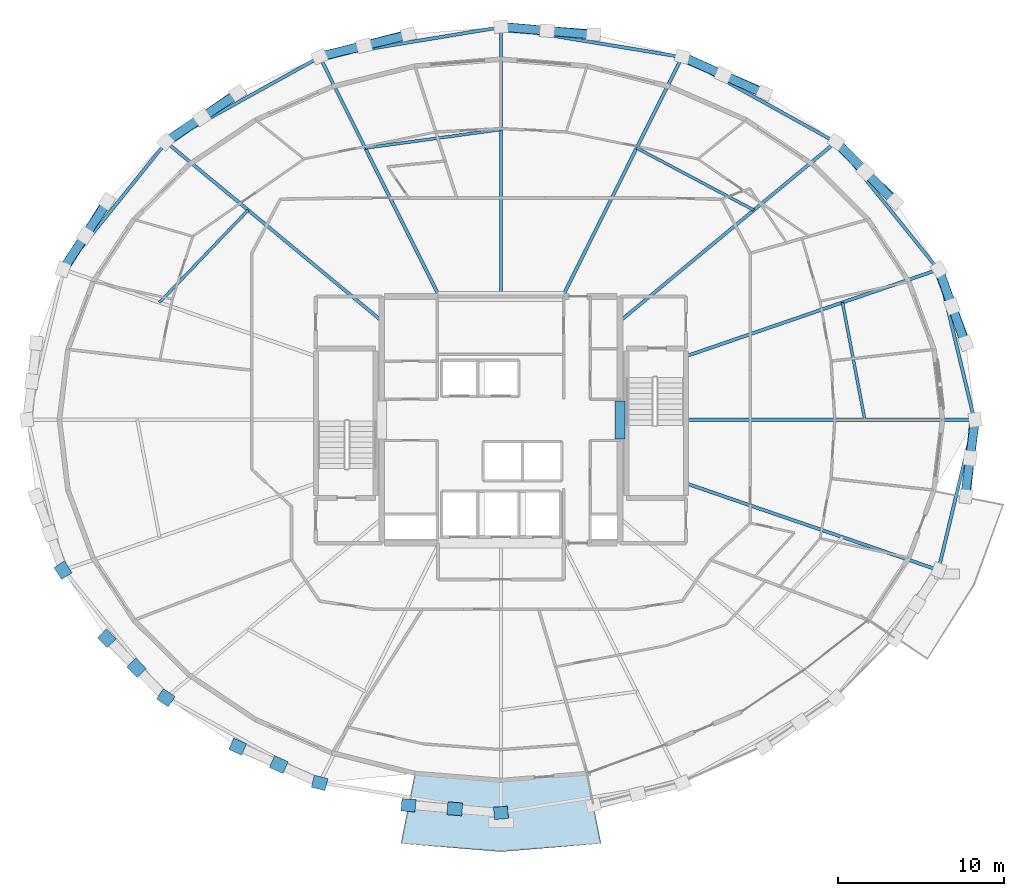
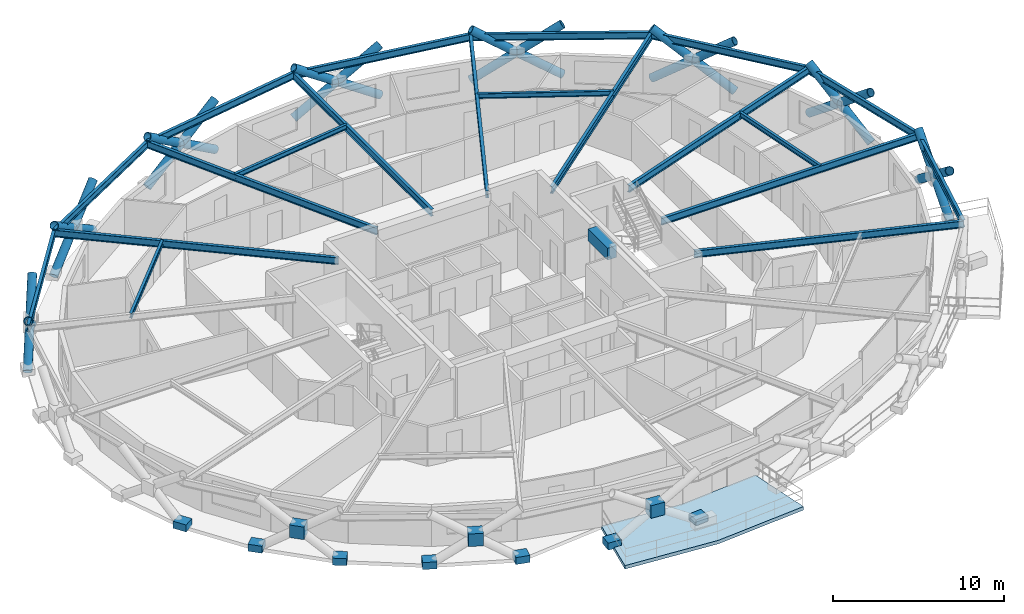
# One storey, part 5 of 12: 24 members, 21 beams, 10 plates, 1 slab.
"""IFC4 building model written with IfcOpenShell, lengths in metres."""

from ifc_helpers import new_model, si_unit, direction, frame, origin, origin_2d, place, context, subcontext, project, spatial, polyline, rectangle, hollow_circle, i_section, outline, extrude, material, layer, layer_set, material_profile, profile_set, type_object, element, save


model = new_model("IFC4")

# Units and contexts
model_context = context("Model", 3, precision=1e-05, world=origin(), true_north=direction((0.0, 1.0)))
body_context = subcontext(model_context, "Body", "Model", "MODEL_VIEW")
ifc_project = project(units=[si_unit("LENGTHUNIT", "METRE"), si_unit("AREAUNIT", "SQUARE_METRE"), si_unit("VOLUMEUNIT", "CUBIC_METRE"), si_unit("PLANEANGLEUNIT", "RADIAN"), si_unit("MASSUNIT", "GRAM", prefix="KILO")], contexts=[model_context])

# Site, building, storey
site_placement = place(None, origin())
site = spatial("IfcSite", under=ifc_project, at=site_placement, CompositionType="ELEMENT")
building_placement = place(site_placement, origin())
building = spatial("IfcBuilding", under=site, at=building_placement, Name="Veldorina Hangang Commons", CompositionType="ELEMENT")
storey_placement = place(building_placement, frame((0.0, 0.0, 124.39990234375)))
storey = spatial("IfcBuildingStorey", under=building, at=storey_placement, Name="L31", CompositionType="ELEMENT", Elevation=124.39990234375)

# Beams
ifc_material_1 = material(Name="Concrete C60/75", Category="concrete")
ifc_material_profile_1 = material_profile(ifc_material_1, rectangle(XDim=0.60009765625, YDim=0.85009765625, at=origin_2d()), Name="RC-CB-600x850")
ifc_profile_set_1 = profile_set([ifc_material_profile_1], Name="Concrete C60/75")
beam_type_1 = type_object("IfcBeamType", Name="BM-CB850", PredefinedType="LINTEL", material=ifc_profile_set_1)
beam_1_placement = place(storey_placement, frame((39.199951171875, 22.85009765625, 2.925048828125), z_axis=(0.0, 1.0, 0.0), x_axis=(-1.0, 0.0, 0.0)))
element("IfcBeam", 1, at=beam_1_placement, inside=storey, type_object=beam_type_1, Name="L31 E core coupling lintel beam", PredefinedType="LINTEL", context=body_context, shape_type="SweptSolid", body=[
    extrude(rectangle(XDim=0.60009765625, YDim=0.85009765625, at=origin_2d()), origin(), (0.0, 0.0, 1.0), 2.2998046875),
])
ifc_material_2 = material(Name="Steel SM420-TMC", Category="steel")
ifc_material_profile_2 = material_profile(ifc_material_2, i_section(OverallWidth=0.199951171875, OverallDepth=0.5, WebThickness=0.010009765625, FlangeThickness=0.01611328125, FilletRadius=0.01611328125, at=origin_2d()), Name="H-500x200x10x16")
ifc_profile_set_2 = profile_set([ifc_material_profile_2], Name="Steel SM420-TMC")
beam_type_2 = type_object("IfcBeamType", Name="BM-FG500", PredefinedType="BEAM", material=ifc_profile_set_2)
beam_2_placement = place(storey_placement, frame((43.179931640625, 24.0, 3.10009765625), z_axis=(1.0, 0.0, 0.0), x_axis=(0.0, 1.0, 0.0)))
element("IfcBeam", 2, at=beam_2_placement, inside=storey, type_object=beam_type_2, Name="L31 radial floor girder 01", PredefinedType="BEAM", context=body_context, shape_type="SweptSolid", body=[
    extrude(i_section(OverallWidth=0.199951171875, OverallDepth=0.5, WebThickness=0.010009765625, FlangeThickness=0.01611328125, FilletRadius=0.01611328125, at=origin_2d()), origin(), (0.0, 0.0, 1.0), 17.411376953125),
])
beam_3_placement = place(storey_placement, frame((43.179931640625, 27.8408203125, 3.10009765625), z_axis=(0.945741040381, 0.324921351314, 0.0), x_axis=(-0.324921351314, 0.945741040381, 0.0)))
element("IfcBeam", 3, at=beam_3_placement, inside=storey, type_object=beam_type_2, Name="L31 radial floor girder 02", PredefinedType="BEAM", context=body_context, shape_type="SweptSolid", body=[
    extrude(i_section(OverallWidth=0.199951171875, OverallDepth=0.5, WebThickness=0.010009765625, FlangeThickness=0.01611328125, FilletRadius=0.01611328125, at=origin_2d()), origin(), (0.0, 0.0, 1.0), 16.10888671875),
])
beam_4_placement = place(storey_placement, frame((39.199951171875, 29.9716796875, 3.10009765625), z_axis=(0.76970069146, 0.638404922886, 0.0), x_axis=(-0.638404922886, 0.76970069146, 0.0)))
element("IfcBeam", 4, at=beam_4_placement, inside=storey, type_object=beam_type_2, Name="L31 radial floor girder 03", PredefinedType="BEAM", context=body_context, shape_type="SweptSolid", body=[
    extrude(i_section(OverallWidth=0.199951171875, OverallDepth=0.5, WebThickness=0.010009765625, FlangeThickness=0.01611328125, FilletRadius=0.01611328125, at=origin_2d()), origin(), (0.0, 0.0, 1.0), 16.911865234375),
])
beam_5_placement = place(storey_placement, frame((35.720703125, 31.449951171875, 3.10009765625), z_axis=(0.446784524562, 0.894641597855, 0.0), x_axis=(-0.894641597855, 0.446784524562, 0.0)))
element("IfcBeam", 5, at=beam_5_placement, inside=storey, type_object=beam_type_2, Name="L31 radial floor girder 04", PredefinedType="BEAM", context=body_context, shape_type="SweptSolid", body=[
    extrude(i_section(OverallWidth=0.199951171875, OverallDepth=0.5, WebThickness=0.010009765625, FlangeThickness=0.01611328125, FilletRadius=0.01611328125, at=origin_2d()), origin(), (0.0, 0.0, 1.0), 16.161376953125),
])
beam_6_placement = place(storey_placement, frame((32.0, 31.449951171875, 3.10009765625), z_axis=(0.0, 1.0, 0.0), x_axis=(-1.0, 0.0, 0.0)))
element("IfcBeam", 6, at=beam_6_placement, inside=storey, type_object=beam_type_2, Name="L31 radial floor girder 05", PredefinedType="BEAM", context=body_context, shape_type="SweptSolid", body=[
    extrude(i_section(OverallWidth=0.199951171875, OverallDepth=0.5, WebThickness=0.010009765625, FlangeThickness=0.01611328125, FilletRadius=0.01611328125, at=origin_2d()), origin(), (0.0, 0.0, 1.0), 16.263916015625),
])
beam_7_placement = place(storey_placement, frame((28.279296875, 31.449951171875, 3.10009765625), z_axis=(-0.446784524562, 0.894641597855, 0.0), x_axis=(-0.894641597855, -0.446784524562, 0.0)))
element("IfcBeam", 7, at=beam_7_placement, inside=storey, type_object=beam_type_2, Name="L31 radial floor girder 06", PredefinedType="BEAM", context=body_context, shape_type="SweptSolid", body=[
    extrude(i_section(OverallWidth=0.199951171875, OverallDepth=0.5, WebThickness=0.010009765625, FlangeThickness=0.01611328125, FilletRadius=0.01611328125, at=origin_2d()), origin(), (0.0, 0.0, 1.0), 16.161376953125),
])
beam_8_placement = place(storey_placement, frame((24.800048828125, 29.9716796875, 3.10009765625), z_axis=(-0.76970069146, 0.638404922886, 0.0), x_axis=(-0.638404922886, -0.76970069146, 0.0)))
element("IfcBeam", 8, at=beam_8_placement, inside=storey, type_object=beam_type_2, Name="L31 radial floor girder 07", PredefinedType="BEAM", context=body_context, shape_type="SweptSolid", body=[
    extrude(i_section(OverallWidth=0.199951171875, OverallDepth=0.5, WebThickness=0.010009765625, FlangeThickness=0.01611328125, FilletRadius=0.01611328125, at=origin_2d()), origin(), (0.0, 0.0, 1.0), 16.911865234375),
])
beam_9_placement = place(storey_placement, frame((43.179931640625, 20.1591796875, 3.10009765625), z_axis=(0.945741040381, -0.324921351314, 0.0), x_axis=(0.324921351314, 0.945741040381, 0.0)))
element("IfcBeam", 9, at=beam_9_placement, inside=storey, type_object=beam_type_2, Name="L31 radial floor girder 16", PredefinedType="BEAM", context=body_context, shape_type="SweptSolid", body=[
    extrude(i_section(OverallWidth=0.199951171875, OverallDepth=0.5, WebThickness=0.010009765625, FlangeThickness=0.01611328125, FilletRadius=0.01611328125, at=origin_2d()), origin(), (0.0, 0.0, 1.0), 16.10888671875),
])
ifc_material_3 = material(Name="Steel SM355-TMC", Category="steel")
ifc_material_profile_3 = material_profile(ifc_material_3, i_section(OverallWidth=0.175048828125, OverallDepth=0.35009765625, WebThickness=0.007080078125, FlangeThickness=0.010986328125, FilletRadius=0.012939453125, at=origin_2d()), Name="H-350x175x7x11")
ifc_profile_set_3 = profile_set([ifc_material_profile_3], Name="Steel SM355-TMC")
beam_type_3 = type_object("IfcBeamType", Name="BM-JST350", PredefinedType="JOIST", material=ifc_profile_set_3)
beam_10_placement = place(storey_placement, frame((53.974853515625, 24.0, 3.175048828125), z_axis=(-0.187067004341, 0.982347156502, 0.0), x_axis=(-0.982347156502, -0.187067004341, 0.0)))
element("IfcBeam", 10, at=beam_10_placement, inside=storey, type_object=beam_type_3, Name="L31 secondary floor joist 01", PredefinedType="JOIST", context=body_context, shape_type="SweptSolid", body=[
    extrude(i_section(OverallWidth=0.175048828125, OverallDepth=0.35009765625, WebThickness=0.007080078125, FlangeThickness=0.010986328125, FilletRadius=0.012939453125, at=origin_2d()), origin(), (0.0, 0.0, 1.0), 7.21337890625),
])
beam_11_placement = place(storey_placement, frame((47.2705078125, 36.66552734375, 3.175048828125), z_axis=(-0.883555611094, 0.468326256048, 0.0), x_axis=(-0.468326256048, -0.883555611094, 0.0)))
element("IfcBeam", 11, at=beam_11_placement, inside=storey, type_object=beam_type_3, Name="L31 secondary floor joist 03", PredefinedType="JOIST", context=body_context, shape_type="SweptSolid", body=[
    extrude(i_section(OverallWidth=0.175048828125, OverallDepth=0.35009765625, WebThickness=0.007080078125, FlangeThickness=0.010986328125, FilletRadius=0.012939453125, at=origin_2d()), origin(), (0.0, 0.0, 1.0), 8.005126953125),
])
beam_12_placement = place(storey_placement, frame((32.0, 41.53369140625, 3.175048828125), z_axis=(-0.990809146924, -0.13526727014, 0.0), x_axis=(0.13526727014, -0.990809146924, 0.0)))
element("IfcBeam", 12, at=beam_12_placement, inside=storey, type_object=beam_type_3, Name="L31 secondary floor joist 05", PredefinedType="JOIST", context=body_context, shape_type="SweptSolid", body=[
    extrude(i_section(OverallWidth=0.175048828125, OverallDepth=0.35009765625, WebThickness=0.007080078125, FlangeThickness=0.010986328125, FilletRadius=0.012939453125, at=origin_2d()), origin(), (0.0, 0.0, 1.0), 8.2734375),
])
beam_13_placement = place(storey_placement, frame((16.7294921875, 36.66552734375, 3.175048828125), z_axis=(-0.692435879443, -0.721479419568, 0.0), x_axis=(0.721479419568, -0.692435879443, 0.0)))
element("IfcBeam", 13, at=beam_13_placement, inside=storey, type_object=beam_type_3, Name="L31 secondary floor joist 07", PredefinedType="JOIST", context=body_context, shape_type="SweptSolid", body=[
    extrude(i_section(OverallWidth=0.175048828125, OverallDepth=0.35009765625, WebThickness=0.007080078125, FlangeThickness=0.010986328125, FilletRadius=0.012939453125, at=origin_2d()), origin(), (0.0, 0.0, 1.0), 7.733642578125),
])
ifc_material_profile_4 = material_profile(ifc_material_2, i_section(OverallWidth=0.199951171875, OverallDepth=0.5, WebThickness=0.010009765625, FlangeThickness=0.01611328125, FilletRadius=0.01611328125, at=origin_2d()), Name="H-500x200x10x16")
ifc_profile_set_4 = profile_set([ifc_material_profile_4], Name="Steel SM420-TMC")
beam_type_4 = type_object("IfcBeamType", Name="BM-RB500", PredefinedType="BEAM", material=ifc_profile_set_4)
beam_14_placement = place(storey_placement, frame((60.59130859375, 24.0, 3.10009765625), z_axis=(-0.233223544236, 0.972423147819, 0.0), x_axis=(-0.972423147819, -0.233223544236, 0.0)))
element("IfcBeam", 14, at=beam_14_placement, inside=storey, type_object=beam_type_4, Name="L31 perimeter hoop ring beam 00", PredefinedType="BEAM", context=body_context, shape_type="SweptSolid", body=[
    extrude(i_section(OverallWidth=0.199951171875, OverallDepth=0.5, WebThickness=0.010009765625, FlangeThickness=0.01611328125, FilletRadius=0.01611328125, at=origin_2d()), origin(), (0.0, 0.0, 1.0), 9.332275390625),
])
beam_15_placement = place(storey_placement, frame((58.414794921875, 33.074951171875, 3.10009765625), z_axis=(-0.627349520382, 0.778737811639, 0.0), x_axis=(-0.778737811639, -0.627349520382, 0.0)))
element("IfcBeam", 15, at=beam_15_placement, inside=storey, type_object=beam_type_4, Name="L31 perimeter hoop ring beam 02", PredefinedType="BEAM", context=body_context, shape_type="SweptSolid", body=[
    extrude(i_section(OverallWidth=0.199951171875, OverallDepth=0.5, WebThickness=0.010009765625, FlangeThickness=0.01611328125, FilletRadius=0.01611328125, at=origin_2d()), origin(), (0.0, 0.0, 1.0), 9.879150390625),
])
beam_16_placement = place(storey_placement, frame((52.217041015625, 40.768310546875, 3.10009765625), z_axis=(-0.874667182289, 0.484723962917, 0.0), x_axis=(-0.484723962917, -0.874667182289, 0.0)))
element("IfcBeam", 16, at=beam_16_placement, inside=storey, type_object=beam_type_4, Name="L31 perimeter hoop ring beam 04", PredefinedType="BEAM", context=body_context, shape_type="SweptSolid", body=[
    extrude(i_section(OverallWidth=0.199951171875, OverallDepth=0.5, WebThickness=0.010009765625, FlangeThickness=0.01611328125, FilletRadius=0.01611328125, at=origin_2d()), origin(), (0.0, 0.0, 1.0), 10.604736328125),
])
for number, where, z_axis, x_axis, name in (
    (17, (42.94140625, 45.90869140625, 3.10009765625), (-0.986661554027, 0.162785066282, 0.0), (-0.162785066282, -0.986661554027, 0.0), "L31 perimeter hoop ring beam 06"),
    (18, (32.0, 47.7138671875, 3.10009765625), (-0.986661554027, -0.162785066282, 0.0), (0.162785066282, -0.986661554027, 0.0), "L31 perimeter hoop ring beam 08"),
):
    element("IfcBeam", number, at=place(storey_placement, frame(where, z_axis=z_axis, x_axis=x_axis)), inside=storey, type_object=beam_type_4, Name=name, PredefinedType="BEAM", context=body_context, shape_type="SweptSolid", body=[
        extrude(i_section(OverallWidth=0.199951171875, OverallDepth=0.5, WebThickness=0.010009765625, FlangeThickness=0.01611328125, FilletRadius=0.01611328125, at=origin_2d()), origin(), (0.0, 0.0, 1.0), 11.08935546875),
    ])
beam_17_placement = place(storey_placement, frame((21.05859375, 45.90869140625, 3.10009765625), z_axis=(-0.874667182289, -0.484723962917, 0.0), x_axis=(0.484723962917, -0.874667182289, 0.0)))
element("IfcBeam", 19, at=beam_17_placement, inside=storey, type_object=beam_type_4, Name="L31 perimeter hoop ring beam 10", PredefinedType="BEAM", context=body_context, shape_type="SweptSolid", body=[
    extrude(i_section(OverallWidth=0.199951171875, OverallDepth=0.5, WebThickness=0.010009765625, FlangeThickness=0.01611328125, FilletRadius=0.01611328125, at=origin_2d()), origin(), (0.0, 0.0, 1.0), 10.604736328125),
])
beam_18_placement = place(storey_placement, frame((11.782958984375, 40.768310546875, 3.10009765625), z_axis=(-0.627349520382, -0.778737811639, 0.0), x_axis=(0.778737811639, -0.627349520382, 0.0)))
element("IfcBeam", 20, at=beam_18_placement, inside=storey, type_object=beam_type_4, Name="L31 perimeter hoop ring beam 12", PredefinedType="BEAM", context=body_context, shape_type="SweptSolid", body=[
    extrude(i_section(OverallWidth=0.199951171875, OverallDepth=0.5, WebThickness=0.010009765625, FlangeThickness=0.01611328125, FilletRadius=0.01611328125, at=origin_2d()), origin(), (0.0, 0.0, 1.0), 9.879150390625),
])
beam_19_placement = place(storey_placement, frame((58.414794921875, 14.925048828125, 3.10009765625), z_axis=(0.233223544236, 0.972423147819, 0.0), x_axis=(-0.972423147819, 0.233223544236, 0.0)))
element("IfcBeam", 21, at=beam_19_placement, inside=storey, type_object=beam_type_4, Name="L31 perimeter hoop ring beam 30", PredefinedType="BEAM", context=body_context, shape_type="SweptSolid", body=[
    extrude(i_section(OverallWidth=0.199951171875, OverallDepth=0.5, WebThickness=0.010009765625, FlangeThickness=0.01611328125, FilletRadius=0.01611328125, at=origin_2d()), origin(), (0.0, 0.0, 1.0), 9.332275390625),
])

# Members
ifc_material_profile_5 = material_profile(ifc_material_2, hollow_circle(Radius=0.27490234375, WallThickness=0.028076171875, at=origin_2d()), Name="CHS-550x28")
ifc_profile_set_5 = profile_set([ifc_material_profile_5], Name="Steel SM420-TMC")
member_type = type_object("IfcMemberType", Name="DG-CHS550", PredefinedType="BRACE", material=ifc_profile_set_5)
member_1_placement = place(storey_placement, frame((60.076416015625, 28.631103515625, 0.0), z_axis=(-0.279845178766, 0.745871227894, 0.604452469033), x_axis=(-0.936269956094, -0.351281325031, 0.0)))
element("IfcMember", 22, at=member_1_placement, inside=storey, type_object=member_type, Name="L31 continuous perimeter diagrid brace 01", PredefinedType="BRACE", context=body_context, shape_type="SweptSolid", body=[
    extrude(hollow_circle(Radius=0.27490234375, WallThickness=0.028076171875, at=origin_2d()), origin(), (0.0, 0.0, 1.0), 5.9560546875),
])
member_2_placement = place(storey_placement, frame((58.447509765625, 33.08447265625, 0.0), z_axis=(0.267171536164, -0.749737815089, 0.605402823654), x_axis=(0.941977259221, 0.335676694322, 0.0)))
element("IfcMember", 23, at=member_2_placement, inside=storey, type_object=member_type, Name="L31 split perimeter diagrid lower brace 02", PredefinedType="BRACE", context=body_context, shape_type="SweptSolid", body=[
    extrude(hollow_circle(Radius=0.27490234375, WallThickness=0.028076171875, at=origin_2d()), origin(), (0.0, 0.0, 1.0), 2.975341796875),
])
member_3_placement = place(storey_placement, frame((59.242431640625, 30.853759765625, 1.80126953125), z_axis=(0.267087525285, -0.749833233859, 0.605321712181), x_axis=(0.94202413043, 0.335545135097, 0.0)))
element("IfcMember", 24, at=member_3_placement, inside=storey, type_object=member_type, Name="L31 split perimeter diagrid upper brace 02", PredefinedType="BRACE", context=body_context, shape_type="SweptSolid", body=[
    extrude(hollow_circle(Radius=0.27490234375, WallThickness=0.028076171875, at=origin_2d()), origin(), (0.0, 0.0, 1.0), 2.9716796875),
])
member_4_placement = place(storey_placement, frame((55.802001953125, 37.1884765625, 0.0), z_axis=(-0.577413719697, 0.575449861049, 0.579181192481), x_axis=(-0.705901227871, -0.708310282638, 0.0)))
element("IfcMember", 25, at=member_4_placement, inside=storey, type_object=member_type, Name="L31 continuous perimeter diagrid brace 03", PredefinedType="BRACE", context=body_context, shape_type="SweptSolid", body=[
    extrude(hollow_circle(Radius=0.27490234375, WallThickness=0.028076171875, at=origin_2d()), origin(), (0.0, 0.0, 1.0), 6.2158203125),
])
member_5_placement = place(storey_placement, frame((52.2421875, 40.78564453125, 0.0), z_axis=(0.568660604963, -0.582668574474, 0.580622466568), x_axis=(0.715657026654, 0.698451873933, 0.0)))
element("IfcMember", 26, at=member_5_placement, inside=storey, type_object=member_type, Name="L31 split perimeter diagrid lower brace 04", PredefinedType="BRACE", context=body_context, shape_type="SweptSolid", body=[
    extrude(hollow_circle(Radius=0.27490234375, WallThickness=0.028076171875, at=origin_2d()), origin(), (0.0, 0.0, 1.0), 3.102294921875),
])
member_6_placement = place(storey_placement, frame((54.00634765625, 38.97802734375, 1.80126953125), z_axis=(0.568622589074, -0.582727833454, 0.58060022676), x_axis=(0.715715869095, 0.698391576929, 0.0)))
element("IfcMember", 27, at=member_6_placement, inside=storey, type_object=member_type, Name="L31 split perimeter diagrid upper brace 04", PredefinedType="BRACE", context=body_context, shape_type="SweptSolid", body=[
    extrude(hollow_circle(Radius=0.27490234375, WallThickness=0.028076171875, at=origin_2d()), origin(), (0.0, 0.0, 1.0), 3.09814453125),
])
member_7_placement = place(storey_placement, frame((47.904052734375, 43.73779296875, 0.0), z_axis=(-0.763304780009, 0.333195148118, 0.553486048683), x_axis=(-0.400062158265, -0.916488008391, 0.0)))
element("IfcMember", 28, at=member_7_placement, inside=storey, type_object=member_type, Name="L31 continuous perimeter diagrid brace 05", PredefinedType="BRACE", context=body_context, shape_type="SweptSolid", body=[
    extrude(hollow_circle(Radius=0.27490234375, WallThickness=0.028076171875, at=origin_2d()), origin(), (0.0, 0.0, 1.0), 6.50439453125),
])
member_8_placement = place(storey_placement, frame((42.954833984375, 45.931640625, 0.0), z_axis=(0.758836281718, -0.341502630893, 0.55456600206), x_axis=(0.410390964243, 0.911909675608, 0.0)))
element("IfcMember", 29, at=member_8_placement, inside=storey, type_object=member_type, Name="L31 split perimeter diagrid lower brace 06", PredefinedType="BRACE", context=body_context, shape_type="SweptSolid", body=[
    extrude(hollow_circle(Radius=0.27490234375, WallThickness=0.028076171875, at=origin_2d()), origin(), (0.0, 0.0, 1.0), 3.24853515625),
])
member_9_placement = place(storey_placement, frame((45.419921875, 44.822265625, 1.801513671875), z_axis=(0.758835001427, -0.341633809907, 0.554486952541), x_axis=(0.410522618077, 0.91185041539, 0.0)))
element("IfcMember", 30, at=member_9_placement, inside=storey, type_object=member_type, Name="L31 split perimeter diagrid upper brace 06", PredefinedType="BRACE", context=body_context, shape_type="SweptSolid", body=[
    extrude(hollow_circle(Radius=0.27490234375, WallThickness=0.028076171875, at=origin_2d()), origin(), (0.0, 0.0, 1.0), 3.24365234375),
])
member_10_placement = place(storey_placement, frame((37.584716796875, 47.282470703125, 0.0), z_axis=(-0.838764384084, 0.064204434384, 0.540695939135), x_axis=(-0.076323172251, -0.997083132631, 0.0)))
element("IfcMember", 31, at=member_10_placement, inside=storey, type_object=member_type, Name="L31 continuous perimeter diagrid brace 07", PredefinedType="BRACE", context=body_context, shape_type="SweptSolid", body=[
    extrude(hollow_circle(Radius=0.27490234375, WallThickness=0.028076171875, at=origin_2d()), origin(), (0.0, 0.0, 1.0), 6.658203125),
])
member_11_placement = place(storey_placement, frame((32.0, 47.738525390625, 0.0), z_axis=(0.837889386417, -0.072726071513, 0.540973469453), x_axis=(0.086471631714, 0.99625431337, 0.0)))
element("IfcMember", 32, at=member_11_placement, inside=storey, type_object=member_type, Name="L31 split perimeter diagrid lower brace 08", PredefinedType="BRACE", context=body_context, shape_type="SweptSolid", body=[
    extrude(hollow_circle(Radius=0.27490234375, WallThickness=0.028076171875, at=origin_2d()), origin(), (0.0, 0.0, 1.0), 3.330078125),
])
member_12_placement = place(storey_placement, frame((34.790283203125, 47.496337890625, 1.801513671875), z_axis=(0.837965078273, -0.072754809232, 0.540852350765), x_axis=(0.086497789924, 0.996252042577, 0.0)))
element("IfcMember", 33, at=member_12_placement, inside=storey, type_object=member_type, Name="L31 split perimeter diagrid upper brace 08", PredefinedType="BRACE", context=body_context, shape_type="SweptSolid", body=[
    extrude(hollow_circle(Radius=0.27490234375, WallThickness=0.028076171875, at=origin_2d()), origin(), (0.0, 0.0, 1.0), 3.325439453125),
])
member_13_placement = place(storey_placement, frame((26.415283203125, 47.282470703125, 0.0), z_axis=(-0.811578937087, -0.208778422535, 0.545665831036), x_axis=(0.249138077434, -0.968467974882, 0.0)))
element("IfcMember", 34, at=member_13_placement, inside=storey, type_object=member_type, Name="L31 continuous perimeter diagrid brace 09", PredefinedType="BRACE", context=body_context, shape_type="SweptSolid", body=[
    extrude(hollow_circle(Radius=0.27490234375, WallThickness=0.028076171875, at=origin_2d()), origin(), (0.0, 0.0, 1.0), 6.59765625),
])
member_14_placement = place(storey_placement, frame((21.045166015625, 45.931640625, 0.0), z_axis=(0.814151020539, 0.200176852265, 0.545057192937), x_axis=(-0.238760881818, 0.971078390921, 0.0)))
element("IfcMember", 35, at=member_14_placement, inside=storey, type_object=member_type, Name="L31 split perimeter diagrid lower brace 10", PredefinedType="BRACE", context=body_context, shape_type="SweptSolid", body=[
    extrude(hollow_circle(Radius=0.27490234375, WallThickness=0.028076171875, at=origin_2d()), origin(), (0.0, 0.0, 1.0), 3.30517578125),
])
member_15_placement = place(storey_placement, frame((23.736083984375, 46.59326171875, 1.801513671875), z_axis=(0.814169985192, 0.200324579311, 0.544974584854), x_axis=(-0.238921780364, 0.971038816355, 0.0)))
element("IfcMember", 36, at=member_15_placement, inside=storey, type_object=member_type, Name="L31 split perimeter diagrid upper brace 10", PredefinedType="BRACE", context=body_context, shape_type="SweptSolid", body=[
    extrude(hollow_circle(Radius=0.27490234375, WallThickness=0.028076171875, at=origin_2d()), origin(), (0.0, 0.0, 1.0), 3.30029296875),
])
member_16_placement = place(storey_placement, frame((16.095947265625, 43.73779296875, 0.0), z_axis=(-0.67822485898, -0.46786716857, 0.566666880306), x_axis=(0.567836490357, -0.823141373167, 0.0)))
element("IfcMember", 37, at=member_16_placement, inside=storey, type_object=member_type, Name="L31 continuous perimeter diagrid brace 11", PredefinedType="BRACE", context=body_context, shape_type="SweptSolid", body=[
    extrude(hollow_circle(Radius=0.27490234375, WallThickness=0.028076171875, at=origin_2d()), origin(), (0.0, 0.0, 1.0), 6.35302734375),
])
member_17_placement = place(storey_placement, frame((11.7578125, 40.78564453125, 0.0), z_axis=(0.684863542789, 0.459742812344, 0.565330411579), x_axis=(-0.557355522648, 0.830273943571, 0.0)))
element("IfcMember", 38, at=member_17_placement, inside=storey, type_object=member_type, Name="L31 split perimeter diagrid lower brace 12", PredefinedType="BRACE", context=body_context, shape_type="SweptSolid", body=[
    extrude(hollow_circle(Radius=0.27490234375, WallThickness=0.028076171875, at=origin_2d()), origin(), (0.0, 0.0, 1.0), 3.186279296875),
])
member_18_placement = place(storey_placement, frame((13.93994140625, 42.25048828125, 1.80126953125), z_axis=(0.684711027301, 0.459977880846, 0.565323940963), x_axis=(-0.557637502957, 0.830084583218, 0.0)))
element("IfcMember", 39, at=member_18_placement, inside=storey, type_object=member_type, Name="L31 split perimeter diagrid upper brace 12", PredefinedType="BRACE", context=body_context, shape_type="SweptSolid", body=[
    extrude(hollow_circle(Radius=0.27490234375, WallThickness=0.028076171875, at=origin_2d()), origin(), (0.0, 0.0, 1.0), 3.181884765625),
])
member_19_placement = place(storey_placement, frame((8.197998046875, 37.1884765625, 0.0), z_axis=(-0.430482797175, -0.679317249919, 0.59431694852), x_axis=(0.844679354173, -0.535272630194, 0.0)))
element("IfcMember", 40, at=member_19_placement, inside=storey, type_object=member_type, Name="L31 continuous perimeter diagrid brace 13", PredefinedType="BRACE", context=body_context, shape_type="SweptSolid", body=[
    extrude(hollow_circle(Radius=0.27490234375, WallThickness=0.028076171875, at=origin_2d()), origin(), (0.0, 0.0, 1.0), 6.0576171875),
])
member_20_placement = place(storey_placement, frame((5.552490234375, 33.08447265625, 0.0), z_axis=(0.441454172708, 0.673354261613, 0.593053329614), x_axis=(-0.836295396264, 0.548279135285, 0.0)))
element("IfcMember", 41, at=member_20_placement, inside=storey, type_object=member_type, Name="L31 split perimeter diagrid lower brace 14", PredefinedType="BRACE", context=body_context, shape_type="SweptSolid", body=[
    extrude(hollow_circle(Radius=0.27490234375, WallThickness=0.028076171875, at=origin_2d()), origin(), (0.0, 0.0, 1.0), 3.037353515625),
])
member_21_placement = place(storey_placement, frame((6.893310546875, 35.129638671875, 1.80126953125), z_axis=(0.441296999429, 0.673495037611, 0.593010448987), x_axis=(-0.836437428588, 0.548062430802, 0.0)))
element("IfcMember", 42, at=member_21_placement, inside=storey, type_object=member_type, Name="L31 split perimeter diagrid upper brace 14", PredefinedType="BRACE", context=body_context, shape_type="SweptSolid", body=[
    extrude(hollow_circle(Radius=0.27490234375, WallThickness=0.028076171875, at=origin_2d()), origin(), (0.0, 0.0, 1.0), 3.033447265625),
])
member_22_placement = place(storey_placement, frame((60.076416015625, 19.368896484375, 0.0), z_axis=(0.086454652854, 0.786550748196, 0.611443794238), x_axis=(-0.994013408063, 0.109258155718, 0.0)))
element("IfcMember", 43, at=member_22_placement, inside=storey, type_object=member_type, Name="L31 continuous perimeter diagrid brace 31", PredefinedType="BRACE", context=body_context, shape_type="SweptSolid", body=[
    extrude(hollow_circle(Radius=0.27490234375, WallThickness=0.028076171875, at=origin_2d()), origin(), (0.0, 0.0, 1.0), 5.887939453125),
])
member_23_placement = place(storey_placement, frame((60.626708984375, 24.0, 0.0), z_axis=(-0.100226013227, -0.785158991223, 0.611130186437), x_axis=(0.991950898288, -0.126623123423, 0.0)))
element("IfcMember", 44, at=member_23_placement, inside=storey, type_object=member_type, Name="L31 split perimeter diagrid lower brace 00", PredefinedType="BRACE", context=body_context, shape_type="SweptSolid", body=[
    extrude(hollow_circle(Radius=0.27490234375, WallThickness=0.028076171875, at=origin_2d()), origin(), (0.0, 0.0, 1.0), 2.947509765625),
])
member_24_placement = place(storey_placement, frame((60.331298828125, 21.685791015625, 1.80126953125), z_axis=(-0.100273029124, -0.785181775616, 0.611093199824), x_axis=(0.991943897835, -0.126677952095, 0.0)))
element("IfcMember", 45, at=member_24_placement, inside=storey, type_object=member_type, Name="L31 split perimeter diagrid upper brace 00", PredefinedType="BRACE", context=body_context, shape_type="SweptSolid", body=[
    extrude(hollow_circle(Radius=0.27490234375, WallThickness=0.028076171875, at=origin_2d()), origin(), (0.0, 0.0, 1.0), 2.943603515625),
])

# Plates
ifc_material_4 = material(Name="Steel SM460-TMC", Category="steel")
ifc_layer_1 = layer(ifc_material_4, 0.035888671875)
ifc_layer_set_1 = layer_set([ifc_layer_1], Name="Steel SM460-TMC")
plate_type = type_object("IfcPlateType", Name="PL-STAR-36", PredefinedType="USERDEFINED", material=ifc_layer_set_1)
for number, where, z_axis, x_axis, name in (
    (46, (5.552490234375, 14.91552734375, -0.08984375), (0.0, 0.0, 1.0), (0.541781561494, -0.840519327336, 0.0), "L31 diagrid star-node gusset plate 18"),
    (47, (8.197998046875, 10.8115234375, -0.08984375), (0.0, 0.0, 1.0), (0.703419513964, -0.710774920333, 0.0), "L31 diagrid star-node gusset plate 19"),
):
    element("IfcPlate", number, at=place(storey_placement, frame(where, z_axis=z_axis, x_axis=x_axis)), inside=storey, type_object=plate_type, Name=name, ObjectType="GUSSET PLATE", PredefinedType="USERDEFINED", context=body_context, shape_type="SweptSolid", body=[
        extrude(rectangle(XDim=0.85009765625, YDim=0.75, at=origin_2d()), origin(), (0.0, 0.0, 1.0), 0.5),
    ])
plate_1_placement = place(storey_placement, frame((9.99365234375, 9.02197265625, 1.351318359375), z_axis=(0.0, 0.0, 1.0), x_axis=(0.703419513964, -0.710774920333, 0.0)))
element("IfcPlate", 48, at=plate_1_placement, inside=storey, type_object=plate_type, Name="L31 diagrid X-crossing star-node gusset plate 19", ObjectType="GUSSET PLATE", PredefinedType="USERDEFINED", context=body_context, shape_type="SweptSolid", body=[
    extrude(rectangle(XDim=0.89990234375, YDim=0.780029296875, at=origin_2d()), origin(), (0.0, 0.0, 1.0), 0.89990234375),
])
for number, where, z_axis, x_axis, name in (
    (49, (11.7578125, 7.21435546875, -0.08984375), (0.0, 0.0, 1.0), (0.826717424237, -0.562617365945, 0.0), "L31 diagrid star-node gusset plate 20"),
    (50, (16.095947265625, 4.26220703125, -0.08984375), (0.0, 0.0, 1.0), (0.91421859648, -0.405221368946, 0.0), "L31 diagrid star-node gusset plate 21"),
):
    element("IfcPlate", number, at=place(storey_placement, frame(where, z_axis=z_axis, x_axis=x_axis)), inside=storey, type_object=plate_type, Name=name, ObjectType="GUSSET PLATE", PredefinedType="USERDEFINED", context=body_context, shape_type="SweptSolid", body=[
        extrude(rectangle(XDim=0.85009765625, YDim=0.75, at=origin_2d()), origin(), (0.0, 0.0, 1.0), 0.5),
    ])
plate_2_placement = place(storey_placement, frame((18.580078125, 3.177734375, 1.3515625), z_axis=(0.0, 0.0, 1.0), x_axis=(0.91421859648, -0.405221368946, 0.0)))
element("IfcPlate", 51, at=plate_2_placement, inside=storey, type_object=plate_type, Name="L31 diagrid X-crossing star-node gusset plate 21", ObjectType="GUSSET PLATE", PredefinedType="USERDEFINED", context=body_context, shape_type="SweptSolid", body=[
    extrude(rectangle(XDim=0.89990234375, YDim=0.780029296875, at=origin_2d()), origin(), (0.0, 0.0, 1.0), 0.89990234375),
])
for number, where, z_axis, x_axis, name in (
    (52, (21.045166015625, 2.068359375, -0.08984375), (0.0, 0.0, 1.0), (0.969786918517, -0.243953546137, 0.0), "L31 diagrid star-node gusset plate 22"),
    (53, (26.415283203125, 0.717529296875, -0.08984375), (0.0, 0.0, 1.0), (0.996681573939, -0.081399263944, 0.0), "L31 diagrid star-node gusset plate 23"),
):
    element("IfcPlate", number, at=place(storey_placement, frame(where, z_axis=z_axis, x_axis=x_axis)), inside=storey, type_object=plate_type, Name=name, ObjectType="GUSSET PLATE", PredefinedType="USERDEFINED", context=body_context, shape_type="SweptSolid", body=[
        extrude(rectangle(XDim=0.85009765625, YDim=0.75, at=origin_2d()), origin(), (0.0, 0.0, 1.0), 0.5),
    ])
plate_3_placement = place(storey_placement, frame((29.209716796875, 0.503662109375, 1.3515625), z_axis=(0.0, 0.0, 1.0), x_axis=(0.996681573939, -0.081399263944, 0.0)))
element("IfcPlate", 54, at=plate_3_placement, inside=storey, type_object=plate_type, Name="L31 diagrid X-crossing star-node gusset plate 23", ObjectType="GUSSET PLATE", PredefinedType="USERDEFINED", context=body_context, shape_type="SweptSolid", body=[
    extrude(rectangle(XDim=0.89990234375, YDim=0.780029296875, at=origin_2d()), origin(), (0.0, 0.0, 1.0), 0.89990234375),
])
plate_4_placement = place(storey_placement, frame((32.0, 0.261474609375, -0.08984375), z_axis=(0.0, 0.0, 1.0), x_axis=(0.996681573939, 0.081399263944, 0.0)))
element("IfcPlate", 55, at=plate_4_placement, inside=storey, type_object=plate_type, Name="L31 diagrid star-node gusset plate 24", ObjectType="GUSSET PLATE", PredefinedType="USERDEFINED", context=body_context, shape_type="SweptSolid", body=[
    extrude(rectangle(XDim=0.85009765625, YDim=0.75, at=origin_2d()), origin(), (0.0, 0.0, 1.0), 0.5),
])

# Slab
ifc_material_5 = material(Name="Concrete C40/50", Category="concrete")
ifc_layer_2 = layer(ifc_material_5, 0.25)
ifc_layer_set_2 = layer_set([ifc_layer_2], Name="Concrete C40/50")
slab_type = type_object("IfcSlabType", Name="SL-FLR-250", PredefinedType="FLOOR", material=ifc_layer_set_2)
slab_placement = place(storey_placement, frame((0.0, 0.0, -0.25)))
element("IfcSlab", 56, at=slab_placement, inside=storey, type_object=slab_type, Name="L31 planted tree balcony slab 1", PredefinedType="FLOOR", context=body_context, shape_type="SweptSolid", body=[
    extrude(outline(polyline([(32.0, 2.201416015625), (37.206298828125, 2.620361328125), (38.043212890625, -1.58740234375), (32.0, -2.088623046875), (25.956787109375, -1.58740234375), (26.793701171875, 2.620361328125), (32.0, 2.201416015625)])), origin(), (0.0, 0.0, 1.0), 0.25),
])

save(model, "model.ifc")
